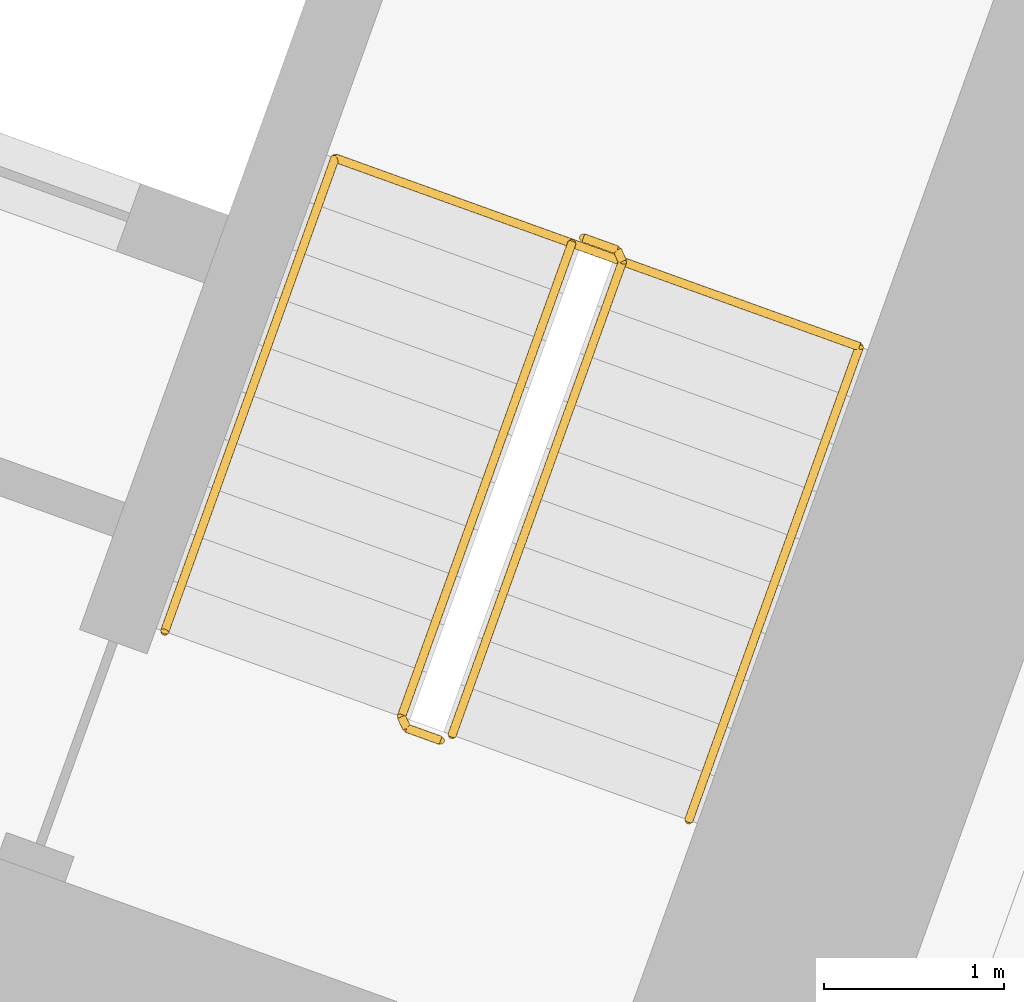
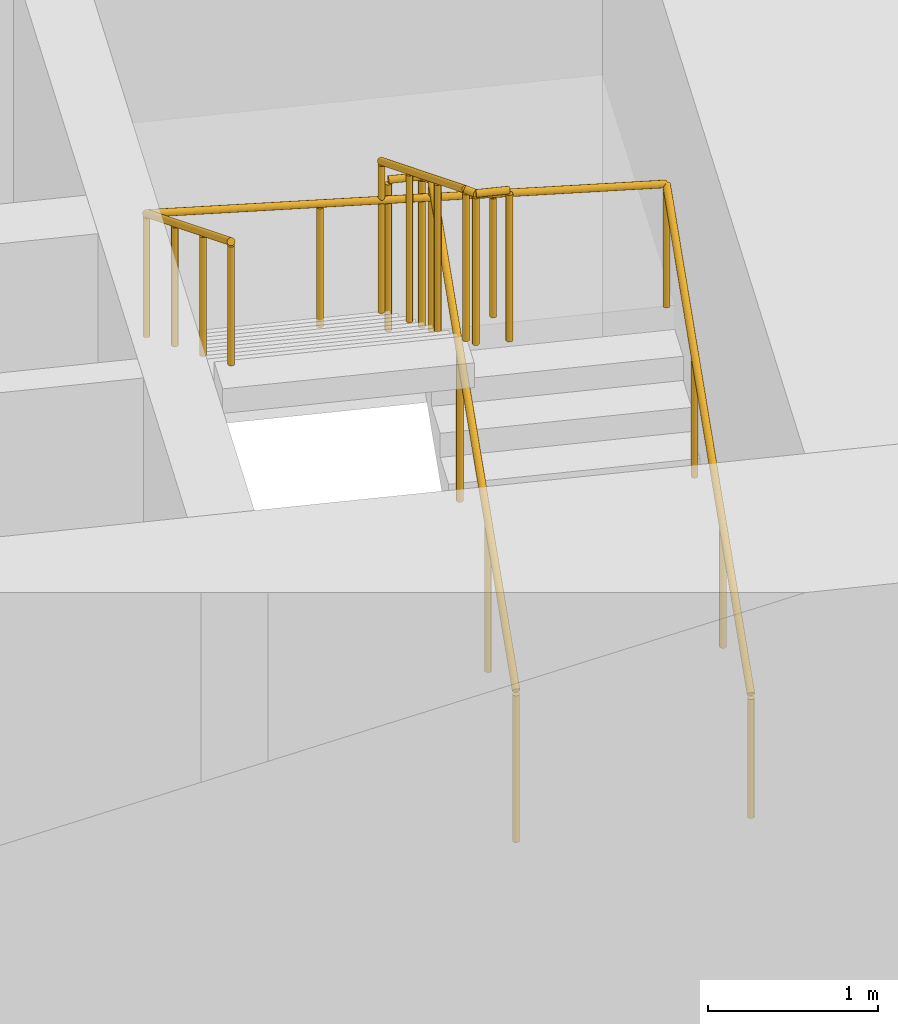
# One storey, part 23 of 23: 3 railings.
"""IFC4 building model written with IfcOpenShell, lengths in metres."""

from ifc_helpers import new_model, si_unit, direction, frame, origin, origin_2d, place, context, subcontext, project, spatial, circle, extrude, material, type_object, element, save


model = new_model("IFC4")

# Units and contexts
model_context = context("Model", 3, precision=1e-05, world=origin(), true_north=direction((0.0, 1.0)))
body_context = subcontext(model_context, "Body", "Model", "MODEL_VIEW")
ifc_project = project(units=[si_unit("LENGTHUNIT", "METRE"), si_unit("AREAUNIT", "SQUARE_METRE"), si_unit("VOLUMEUNIT", "CUBIC_METRE"), si_unit("PLANEANGLEUNIT", "RADIAN"), si_unit("MASSUNIT", "GRAM", prefix="KILO")], contexts=[model_context])

# Site, building, storey
site_placement = place(None, origin())
site = spatial("IfcSite", under=ifc_project, at=site_placement, CompositionType="ELEMENT")
building_placement = place(site_placement, origin())
building = spatial("IfcBuilding", under=site, at=building_placement, Name="Stone Belt Terrace Tower", CompositionType="ELEMENT")
storey_placement = place(building_placement, frame((0.0, 0.0, 178.199951171875)))
storey = spatial("IfcBuildingStorey", under=building, at=storey_placement, Name="L43", CompositionType="ELEMENT", Elevation=178.199951171875)

# Railings
ifc_material = material(Name="Structural steel C345", Category="steel")
railing_type_1 = type_object("IfcRailingType", Name="Stair guard 1100", PredefinedType="GUARDRAIL", material=ifc_material)
railing_1_placement = place(storey_placement, frame((24.494140625, 45.174560546875, 0.1728515625)))
element("IfcRailing", 1, at=railing_1_placement, inside=storey, type_object=railing_type_1, Name="L43 ST1B stair guard 1", PredefinedType="GUARDRAIL", context=body_context, shape_type="SweptSolid", body=[
    extrude(circle(Radius=0.02392578125, at=origin_2d()), frame((0.0, 0.0, 1.076171875), z_axis=(0.288228637646, 0.800791768495, 0.525030280985), x_axis=(-0.940908529223, 0.338660803216, 0.0)), (0.0, 0.0, 1.0), 3.289794921875),
    extrude(circle(Radius=0.02392578125, at=origin_2d()), frame((0.9482421875, 2.634521484375, 2.80322265625), z_axis=(-0.424964916, 0.905209821074, 0.0), x_axis=(-0.905209821074, -0.424964916, 0.0)), (0.0, 0.0, 1.0), 0.070556640625),
    extrude(circle(Radius=0.02392578125, at=origin_2d()), frame((0.918212890625, 2.698486328125, 2.80322265625), z_axis=(-0.941105063269, 0.338114270461, 0.0), x_axis=(-0.338114270461, -0.941105063269, 0.0)), (0.0, 0.0, 1.0), 0.199951171875),
    extrude(circle(Radius=0.02099609375, at=origin_2d()), origin(), (0.0, 0.0, 1.0), 1.052001953125),
    extrude(circle(Radius=0.02099609375, at=origin_2d()), frame((0.316162109375, 0.878173828125, 0.57568359375)), (0.0, 0.0, 1.0), 1.052001953125),
    extrude(circle(Radius=0.02099609375, at=origin_2d()), frame((0.632080078125, 1.75634765625, 1.151611328125)), (0.0, 0.0, 1.0), 1.052001953125),
    extrude(circle(Radius=0.02099609375, at=origin_2d()), frame((0.9482421875, 2.634521484375, 1.727294921875)), (0.0, 0.0, 1.0), 1.052001953125),
    extrude(circle(Radius=0.02099609375, at=origin_2d()), frame((0.918212890625, 2.698486328125, 1.727294921875)), (0.0, 0.0, 1.0), 1.052001953125),
    extrude(circle(Radius=0.02099609375, at=origin_2d()), frame((0.72998046875, 2.76611328125, 1.727294921875)), (0.0, 0.0, 1.0), 1.052001953125),
])
railing_2_placement = place(storey_placement, frame((25.16015625, 47.91064453125, 2.07275390625)))
element("IfcRailing", 2, at=railing_2_placement, inside=storey, type_object=railing_type_1, Name="L43 ST1B stair guard 2", PredefinedType="GUARDRAIL", context=body_context, shape_type="SweptSolid", body=[
    extrude(circle(Radius=0.02392578125, at=origin_2d()), frame((0.0, 0.0, 1.076171875), z_axis=(-0.288228637646, -0.800791768495, 0.525030280985), x_axis=(0.940908529223, -0.338660803216, 0.0)), (0.0, 0.0, 1.0), 3.289794921875),
    extrude(circle(Radius=0.02392578125, at=origin_2d()), frame((-0.9482421875, -2.634521484375, 2.80322265625), z_axis=(0.427789722475, -0.903878284585, 0.0), x_axis=(0.903878284585, 0.427789722475, 0.0)), (0.0, 0.0, 1.0), 0.07080078125),
    extrude(circle(Radius=0.02392578125, at=origin_2d()), frame((-0.91796875, -2.698486328125, 2.80322265625), z_axis=(0.940575576748, -0.339584429008, 0.0), x_axis=(0.339584429008, 0.940575576748, 0.0)), (0.0, 0.0, 1.0), 0.199951171875),
    extrude(circle(Radius=0.02099609375, at=origin_2d()), origin(), (0.0, 0.0, 1.0), 1.052001953125),
    extrude(circle(Radius=0.02099609375, at=origin_2d()), frame((-0.316162109375, -0.878173828125, 0.57568359375)), (0.0, 0.0, 1.0), 1.052001953125),
    extrude(circle(Radius=0.02099609375, at=origin_2d()), frame((-0.632080078125, -1.75634765625, 1.151611328125)), (0.0, 0.0, 1.0), 1.052001953125),
    extrude(circle(Radius=0.02099609375, at=origin_2d()), frame((-0.9482421875, -2.634521484375, 1.727294921875)), (0.0, 0.0, 1.0), 1.052001953125),
    extrude(circle(Radius=0.02099609375, at=origin_2d()), frame((-0.91796875, -2.698486328125, 1.727294921875)), (0.0, 0.0, 1.0), 1.052001953125),
    extrude(circle(Radius=0.02099609375, at=origin_2d()), frame((-0.72998046875, -2.766357421875, 1.727294921875)), (0.0, 0.0, 1.0), 1.052001953125),
])
railing_type_2 = type_object("IfcRailingType", Name="Stair handrail 900", PredefinedType="HANDRAIL", material=ifc_material)
railing_3_placement = place(storey_placement, frame((25.8115234375, 44.700439453125, 0.1728515625)))
element("IfcRailing", 3, at=railing_3_placement, inside=storey, type_object=railing_type_2, Name="L43 ST1B stair handrail 1", PredefinedType="HANDRAIL", context=body_context, shape_type="SweptSolid", body=[
    extrude(circle(Radius=0.02392578125, at=origin_2d()), frame((0.0, 0.0, 0.8759765625), z_axis=(0.288228637646, 0.800791768495, 0.525030280985), x_axis=(-0.940908529223, 0.338660803216, 0.0)), (0.0, 0.0, 1.0), 3.289794921875),
    extrude(circle(Radius=0.02392578125, at=origin_2d()), frame((0.9482421875, 2.634521484375, 2.60302734375), z_axis=(-0.939464517435, 0.338106580597, 0.055591012205), x_axis=(-0.338630230244, -0.940919532779, 0.0)), (0.0, 0.0, 1.0), 3.10498046875),
    extrude(circle(Radius=0.02392578125, at=origin_2d()), frame((-1.96875, 3.684326171875, 2.77587890625), z_axis=(-0.288160591223, -0.800808895155, 0.52504150989), x_axis=(0.940936311087, -0.338583606334, 0.0)), (0.0, 0.0, 1.0), 3.289794921875),
    extrude(circle(Radius=0.02099609375, at=origin_2d()), origin(), (0.0, 0.0, 1.0), 0.851806640625),
    extrude(circle(Radius=0.02099609375, at=origin_2d()), frame((0.316162109375, 0.878173828125, 0.57568359375)), (0.0, 0.0, 1.0), 0.851806640625),
    extrude(circle(Radius=0.02099609375, at=origin_2d()), frame((0.632080078125, 1.75634765625, 1.151611328125)), (0.0, 0.0, 1.0), 0.851806640625),
    extrude(circle(Radius=0.02099609375, at=origin_2d()), frame((0.9482421875, 2.634521484375, 1.727294921875)), (0.0, 0.0, 1.0), 0.851806640625),
    extrude(circle(Radius=0.02099609375, at=origin_2d()), frame((-0.024169921875, 2.984375, 1.784912109375)), (0.0, 0.0, 1.0), 0.851806640625),
    extrude(circle(Radius=0.02099609375, at=origin_2d()), frame((-0.996337890625, 3.33447265625, 1.84228515625)), (0.0, 0.0, 1.0), 0.851806640625),
    extrude(circle(Radius=0.02099609375, at=origin_2d()), frame((-1.96875, 3.684326171875, 1.89990234375)), (0.0, 0.0, 1.0), 0.851806640625),
    extrude(circle(Radius=0.02099609375, at=origin_2d()), frame((-2.28466796875, 2.80615234375, 2.4755859375)), (0.0, 0.0, 1.0), 0.851806640625),
    extrude(circle(Radius=0.02099609375, at=origin_2d()), frame((-2.600830078125, 1.927978515625, 3.051513671875)), (0.0, 0.0, 1.0), 0.851806640625),
    extrude(circle(Radius=0.02099609375, at=origin_2d()), frame((-2.916748046875, 1.0498046875, 3.627197265625)), (0.0, 0.0, 1.0), 0.851806640625),
])

save(model, "model.ifc")
